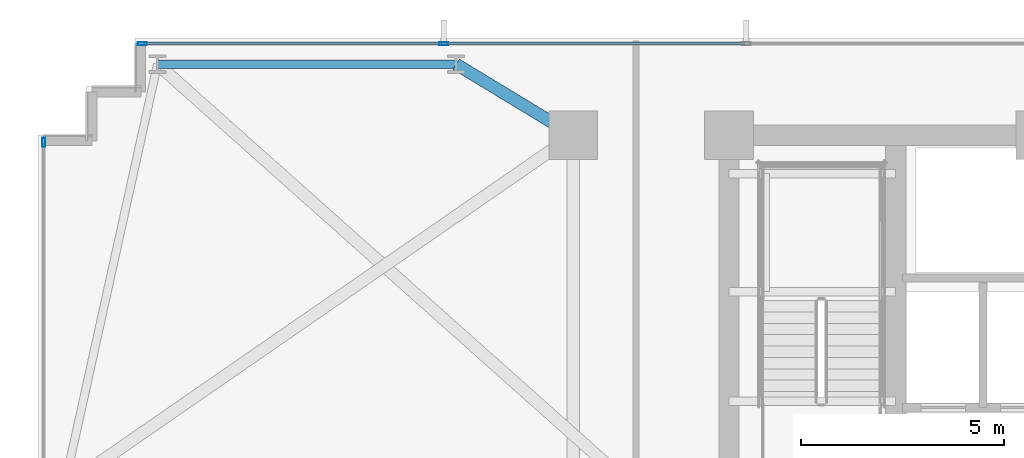
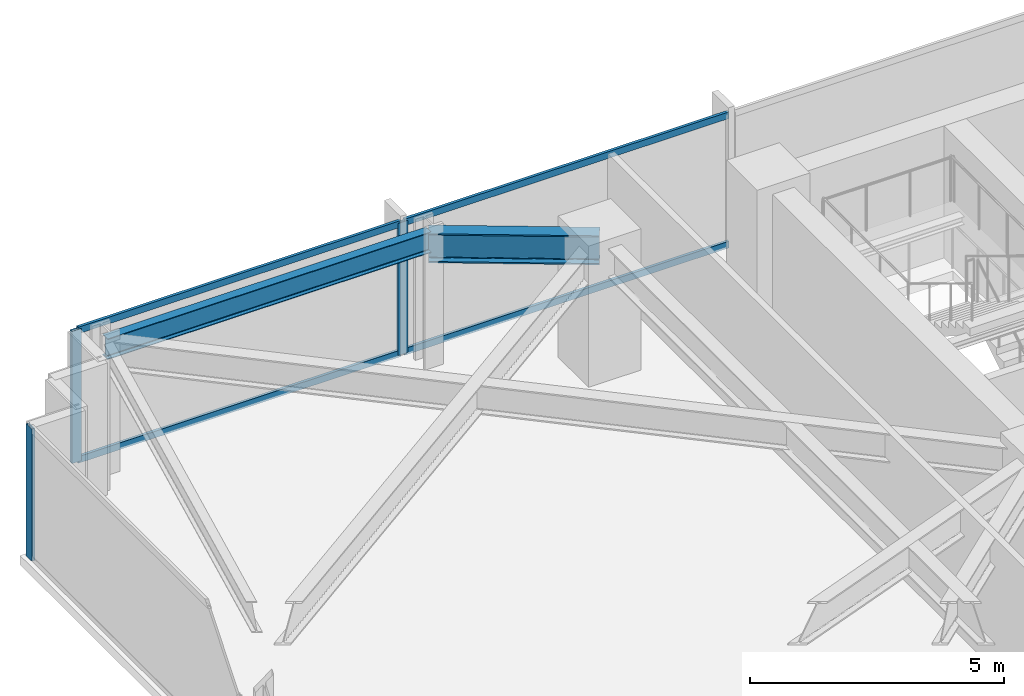
# One storey, part 17 of 32: 7 members, 2 beams, 2 elements without a shape of their own.
"""IFC4 building model written with IfcOpenShell, lengths in metres."""

import ifcopenshell
import ifcopenshell.guid

model = None  # the IFC model being written
_history = None  # IfcOwnerHistory: only IFC2X3 demands one
_inside = {}  # id of a spatial element -> (the spatial element, [elements in it])
_under = {}  # id of a project, library or spatial element -> (it, [spatial elements below it])
_declared = {}  # id of a project -> (the project, [libraries it declares])
_typed = {}  # id of a type object -> (the type object, [elements of that type])
_made_of = {}  # id of a material, layer set ... -> (it, [elements and type objects made of it])


def new_model(schema):
    """Start an empty IFC model of exactly this schema.

    Asked for "IFC4X3", IfcOpenShell would pick the latest addendum, in which some entities
    have other attributes; the version numbers below select the first issue.
    IFC2X3 requires an IfcOwnerHistory on every rooted entity: one is made here for all.
    """
    global model, _history
    if schema == "IFC4X3":
        model = ifcopenshell.file(schema_version=(4, 3, 0, 0))
    else:
        model = ifcopenshell.file(schema=schema)
    _inside.clear()
    _under.clear()
    _declared.clear()
    _typed.clear()
    _made_of.clear()
    _history = None
    if model.schema == "IFC2X3":
        org = make("IfcOrganization", Name="unknown")
        user = make(
            "IfcPersonAndOrganization",
            ThePerson=make("IfcPerson", FamilyName="unknown"),
            TheOrganization=org,
        )
        app = make(
            "IfcApplication",
            ApplicationDeveloper=org,
            Version="unknown",
            ApplicationFullName="unknown",
            ApplicationIdentifier="unknown",
        )
        _history = make(
            "IfcOwnerHistory",
            OwningUser=user,
            OwningApplication=app,
            ChangeAction="ADDED",
            CreationDate=0,
        )
    return model


def make(cls, **values):
    """One entity of the class cls with the attributes given. An attribute that is None is left unset."""
    return model.create_entity(
        cls, **{name: value for name, value in values.items() if value is not None}
    )


def rooted(cls, **values):
    """An entity with a GlobalId (a new one), such as an element, a storey or a relation."""
    return make(cls, GlobalId=ifcopenshell.guid.new(), OwnerHistory=_history, **values)


def si_unit(unit_type, name, prefix=None):
    """IfcSIUnit, for example si_unit("LENGTHUNIT", "METRE", prefix="MILLI")."""
    return make("IfcSIUnit", UnitType=unit_type, Prefix=prefix, Name=name)


def assignment(units):
    """IfcUnitAssignment: the units of a project."""
    return None if units is None else make("IfcUnitAssignment", Units=units)


def point(xyz):
    """IfcCartesianPoint."""
    return None if xyz is None else make("IfcCartesianPoint", Coordinates=xyz)


def direction(xyz):
    """IfcDirection."""
    return None if xyz is None else make("IfcDirection", DirectionRatios=xyz)


def frame(location, z_axis=None, x_axis=None):
    """IfcAxis2Placement3D, a coordinate frame: its origin and axes. An axis left out is left unset."""
    return make(
        "IfcAxis2Placement3D",
        Location=point(location),
        Axis=direction(z_axis),
        RefDirection=direction(x_axis),
    )


def frame_2d(location, x_axis=None):
    """IfcAxis2Placement2D, a coordinate frame in the plane: its origin and x axis."""
    return make(
        "IfcAxis2Placement2D", Location=point(location), RefDirection=direction(x_axis)
    )


def origin():
    """The frame at (0, 0, 0) with its axes left unset."""
    return frame((0.0, 0.0, 0.0))


def origin_2d():
    """The frame at (0, 0) in the plane with its x axis left unset."""
    return frame_2d((0.0, 0.0))


def place(relative_to, where):
    """IfcLocalPlacement: puts the frame where relative to a parent placement (None: the world)."""
    return make(
        "IfcLocalPlacement", PlacementRelTo=relative_to, RelativePlacement=where
    )


def context(
    kind, dimensions, precision=None, world=None, true_north=None, identifier=None
):
    """IfcGeometricRepresentationContext, for example the 3D "Model" context."""
    return make(
        "IfcGeometricRepresentationContext",
        ContextIdentifier=identifier,
        ContextType=kind,
        CoordinateSpaceDimension=dimensions,
        Precision=precision,
        WorldCoordinateSystem=world,
        TrueNorth=true_north,
    )


def subcontext(parent, identifier, kind, view, scale=None):
    """IfcGeometricRepresentationSubContext, for example "Body" below "Model"."""
    return make(
        "IfcGeometricRepresentationSubContext",
        ContextIdentifier=identifier,
        ContextType=kind,
        ParentContext=parent,
        TargetScale=scale,
        TargetView=view,
    )


def project(units=None, contexts=None):
    """IfcProject with its units and contexts."""
    return rooted(
        "IfcProject",
        Name="project",
        RepresentationContexts=contexts,
        UnitsInContext=assignment(units),
    )


def spatial(cls, under=None, at=None, **own):
    """A site, building, storey or space (cls), placed at a placement, below another one or the project."""
    s = rooted(cls, ObjectPlacement=at, **own)
    if under is not None:
        _under.setdefault(under.id(), (under, []))[1].append(s)
    return s


def profile(cls, at=None, kind="AREA", **sizes):
    """A parametric profile (cls). Its sizes go by their IFC names, for example OverallWidth=200.0."""
    return make(cls, ProfileType=kind, Position=at, **sizes)


def hollow_rectangle(**sizes):
    """IfcRectangleHollowProfileDef."""
    return profile("IfcRectangleHollowProfileDef", **sizes)


def i_section(**sizes):
    """IfcIShapeProfileDef."""
    return profile("IfcIShapeProfileDef", **sizes)


def extrude(swept, where, along, depth):
    """IfcExtrudedAreaSolid: the profile swept, set in the frame where, extruded along a direction by depth."""
    return make(
        "IfcExtrudedAreaSolid",
        SweptArea=swept,
        Position=where,
        ExtrudedDirection=direction(along),
        Depth=depth,
    )


def shape(context_of_items, identifier, shape_type, items):
    """IfcShapeRepresentation: the items that make up one representation, for example the "Body"."""
    return make(
        "IfcShapeRepresentation",
        ContextOfItems=context_of_items,
        RepresentationIdentifier=identifier,
        RepresentationType=shape_type,
        Items=items,
    )


def material(Name=None, Category=None):
    """IfcMaterial."""
    return make("IfcMaterial", Name=Name, Category=Category)


def material_profile(
    of_material, cross_section, Name=None, Category=None, Priority=None
):
    """IfcMaterialProfile: a cross section and its material."""
    return make(
        "IfcMaterialProfile",
        Name=Name,
        Material=of_material,
        Profile=cross_section,
        Priority=Priority,
        Category=Category,
    )


def profile_set(profiles, Name=None, composite=None):
    """IfcMaterialProfileSet."""
    return make(
        "IfcMaterialProfileSet",
        Name=Name,
        MaterialProfiles=profiles,
        CompositeProfile=composite,
    )


def made_of(thing, what):
    """Note that an element or type object is made of a material, layer set ...; save() writes the relation."""
    if what is not None:
        _made_of.setdefault(what.id(), (what, []))[1].append(thing)
    return thing


def type_object(cls, material=None, **own):
    """A type object (cls), such as IfcWallType, which elements share."""
    return made_of(rooted(cls, **own), material)


def element(
    cls,
    number,
    at=None,
    inside=None,
    cuts=None,
    type_object=None,
    material=None,
    context=None,
    identifier="Body",
    shape_type=None,
    held_by="IfcProductDefinitionShape",
    body=None,
    shapes=None,
    **own,
):
    """One element of the class cls, such as IfcWall. Its Tag is "e" and its number.

    at: its placement. inside: the storey or other place that contains it. cuts: it is an
    opening in that element (IfcRelVoidsElement). A single representation is given by context,
    identifier, shape_type and body (its items); several are given by shapes. held_by: the class
    of the entity that holds the representations. save() writes the other relations.
    """
    e = rooted(cls, Tag="e%d" % number, ObjectPlacement=at, **own)
    if body is not None:
        shapes = [shape(context, identifier, shape_type, body)]
    if shapes is not None:
        e.Representation = make(held_by, Representations=shapes)
    if inside is not None:
        _inside.setdefault(inside.id(), (inside, []))[1].append(e)
    if cuts is not None:
        rooted(
            "IfcRelVoidsElement", RelatingBuildingElement=cuts, RelatedOpeningElement=e
        )
    if type_object is not None:
        _typed.setdefault(type_object.id(), (type_object, []))[1].append(e)
    return made_of(e, material)


def aggregate(whole, parts):
    """IfcRelAggregates: a whole, such as a stair, and the parts it consists of."""
    return rooted("IfcRelAggregates", RelatingObject=whole, RelatedObjects=parts)


def save(model, path):
    """Write the relations noted so far, then the file.

    IfcRelAggregates (storeys below a building ...), IfcRelContainedInSpatialStructure (elements
    in a storey), IfcRelDefinesByType, IfcRelAssociatesMaterial and IfcRelDeclares: one each for
    every whole, place, type object, material and project.
    """
    for whole, parts in _under.values():
        aggregate(whole, parts)
    for where, things in _inside.values():
        rooted(
            "IfcRelContainedInSpatialStructure",
            RelatedElements=things,
            RelatingStructure=where,
        )
    for kind, things in _typed.values():
        rooted("IfcRelDefinesByType", RelatedObjects=things, RelatingType=kind)
    for what, things in _made_of.values():
        rooted("IfcRelAssociatesMaterial", RelatedObjects=things, RelatingMaterial=what)
    for by, libraries in _declared.values():
        rooted("IfcRelDeclares", RelatingContext=by, RelatedDefinitions=libraries)
    model.write(path)


model = new_model("IFC4")

# Units and contexts
model_context = context("Model", 3, precision=1e-05, world=origin(), true_north=direction((0.0, 1.0)))
body_context = subcontext(model_context, "Body", "Model", "MODEL_VIEW")
ifc_project = project(units=[si_unit("LENGTHUNIT", "METRE"), si_unit("AREAUNIT", "SQUARE_METRE"), si_unit("VOLUMEUNIT", "CUBIC_METRE"), si_unit("PLANEANGLEUNIT", "RADIAN"), si_unit("MASSUNIT", "GRAM", prefix="KILO")], contexts=[model_context])

# Site, building, storey
site_placement = place(None, origin())
site = spatial("IfcSite", under=ifc_project, at=site_placement, CompositionType="ELEMENT")
building_placement = place(site_placement, origin())
building = spatial("IfcBuilding", under=site, at=building_placement, Name="Yelkora Congress Tower", CompositionType="ELEMENT")
storey_placement = place(building_placement, frame((0.0, 0.0, 40.60009765625)))
storey = spatial("IfcBuildingStorey", under=building, at=storey_placement, Name="L09", CompositionType="ELEMENT", Elevation=40.60009765625)

# Beams
ifc_material_1 = material(Name="Steel S355J2", Category="steel")
ifc_material_profile_1 = material_profile(ifc_material_1, i_section(OverallWidth=0.300048828125, OverallDepth=0.699951171875, WebThickness=0.01708984375, FlangeThickness=0.031982421875, FilletRadius=0.027099609375, at=origin_2d()), Name="HEB 700")
ifc_profile_set_1 = profile_set([ifc_material_profile_1], Name="Steel S355J2")
beam_type_1 = type_object("IfcBeamType", Name="BM-GIRD-HEB700", PredefinedType="BEAM", material=ifc_profile_set_1)
beam_1_placement = place(storey_placement, frame((16.3125, 47.949951171875, 2.829833984375), z_axis=(0.855193946581, -0.518308126244, 0.0), x_axis=(0.518308126244, 0.855193946581, 0.0)))
element("IfcBeam", 1, at=beam_1_placement, inside=storey, type_object=beam_type_1, Name="L09 Primary Frame Girder N02", PredefinedType="BEAM", context=body_context, shape_type="SweptSolid", body=[
    extrude(i_section(OverallWidth=0.300048828125, OverallDepth=0.699951171875, WebThickness=0.01708984375, FlangeThickness=0.031982421875, FilletRadius=0.027099609375, at=origin_2d()), origin(), (0.0, 0.0, 1.0), 3.37646484375),
])
ifc_material_profile_2 = material_profile(ifc_material_1, i_section(OverallWidth=0.199951171875, OverallDepth=0.5, WebThickness=0.01025390625, FlangeThickness=0.01611328125, FilletRadius=0.02099609375, at=origin_2d()), Name="IPE 500")
ifc_profile_set_2 = profile_set([ifc_material_profile_2], Name="Steel S355J2")
beam_type_2 = type_object("IfcBeamType", Name="BM-SPAN-IPE500", PredefinedType="SPANDREL", material=ifc_profile_set_2)
beam_2_placement = place(storey_placement, frame((16.3125, 47.949951171875, 2.929931640625), z_axis=(-1.0, 0.0, 0.0), x_axis=(0.0, -1.0, 0.0)))
element("IfcBeam", 2, at=beam_2_placement, inside=storey, type_object=beam_type_2, Name="L09 Perimeter Beam 16", PredefinedType="SPANDREL", context=body_context, shape_type="SweptSolid", body=[
    extrude(i_section(OverallWidth=0.199951171875, OverallDepth=0.5, WebThickness=0.01025390625, FlangeThickness=0.01611328125, FilletRadius=0.02099609375, at=origin_2d()), origin(), (0.0, 0.0, 1.0), 7.362548828125),
])

# Curtain wall, member
ifc_material_2 = material(Name="Anodised aluminium and insulated glass", Category="aluminium")
curtain_wall_type = type_object("IfcCurtainWallType", Name="CW-SYS-B1", PredefinedType="NOTDEFINED", material=ifc_material_2)
curtain_wall_1_placement = place(storey_placement, origin())
curtain_wall_1 = element("IfcCurtainWall", 3, at=curtain_wall_1_placement, inside=storey, type_object=curtain_wall_type, Name="L09 Unitised Curtain Wall 5", PredefinedType="NOTDEFINED")
ifc_material_3 = material(Name="Anodised aluminium 6063-T6", Category="aluminium")
ifc_material_profile_3 = material_profile(ifc_material_3, hollow_rectangle(XDim=0.074951171875, YDim=0.219970703125, WallThickness=0.0048828125, at=origin_2d()), Name="ALU 75x220x5")
ifc_profile_set_3 = profile_set([ifc_material_profile_3], Name="Anodised aluminium 6063-T6")
member_type_1 = type_object("IfcMemberType", Name="MEM-ML-B1", PredefinedType="MULLION", material=ifc_profile_set_3)
member_1_placement = place(storey_placement, frame((6.139892578125, 46.0224609375, 0.0), z_axis=(0.0, 0.0, 1.0), x_axis=(-1.0, 0.0, 0.0)))
member_1 = element("IfcMember", 4, at=member_1_placement, type_object=member_type_1, Name="CW-B1 mullion 5", PredefinedType="MULLION", context=body_context, shape_type="SweptSolid", body=[
    extrude(hollow_rectangle(XDim=0.074951171875, YDim=0.219970703125, WallThickness=0.0048828125, at=origin_2d()), origin(), (0.0, 0.0, 1.0), 3.179931640625),
])
aggregate(curtain_wall_1, [member_1])

# Curtain wall, members
curtain_wall_2_placement = place(storey_placement, origin())
curtain_wall_2 = element("IfcCurtainWall", 5, at=curtain_wall_2_placement, inside=storey, type_object=curtain_wall_type, Name="L09 Unitised Curtain Wall 10", PredefinedType="NOTDEFINED")
member_2_placement = place(storey_placement, frame((8.577392578125, 48.4599609375, 0.0), z_axis=(0.0, 0.0, 1.0), x_axis=(0.0, 1.0, 0.0)))
member_2 = element("IfcMember", 6, at=member_2_placement, type_object=member_type_1, Name="CW-B1 mullion 1", PredefinedType="MULLION", context=body_context, shape_type="SweptSolid", body=[
    extrude(hollow_rectangle(XDim=0.074951171875, YDim=0.219970703125, WallThickness=0.0048828125, at=origin_2d()), origin(), (0.0, 0.0, 1.0), 3.179931640625),
])
member_3_placement = place(storey_placement, frame((16.0048828125, 48.4599609375, 0.0), z_axis=(0.0, 0.0, 1.0), x_axis=(0.0, 1.0, 0.0)))
member_3 = element("IfcMember", 7, at=member_3_placement, type_object=member_type_1, Name="CW-B1 mullion 2", PredefinedType="MULLION", context=body_context, shape_type="SweptSolid", body=[
    extrude(hollow_rectangle(XDim=0.074951171875, YDim=0.219970703125, WallThickness=0.0048828125, at=origin_2d()), origin(), (0.0, 0.0, 1.0), 3.179931640625),
])
ifc_material_profile_4 = material_profile(ifc_material_3, hollow_rectangle(XDim=0.06494140625, YDim=0.159912109375, WallThickness=0.00390625, at=origin_2d()), Name="ALU 65x160x4")
ifc_profile_set_4 = profile_set([ifc_material_profile_4], Name="Anodised aluminium 6063-T6")
member_type_2 = type_object("IfcMemberType", Name="MEM-TR-B1", PredefinedType="USERDEFINED", material=ifc_profile_set_4)
member_4_placement = place(storey_placement, frame((8.614990234375, 48.4599609375, 0.032470703125), z_axis=(1.0, 0.0, 0.0), x_axis=(0.0, 1.0, 0.0)))
member_4 = element("IfcMember", 8, at=member_4_placement, type_object=member_type_2, Name="CW-B1 transom 1.1", ObjectType="TRANSOM", PredefinedType="USERDEFINED", context=body_context, shape_type="SweptSolid", body=[
    extrude(hollow_rectangle(XDim=0.06494140625, YDim=0.159912109375, WallThickness=0.00390625, at=origin_2d()), origin(), (0.0, 0.0, 1.0), 7.3525390625),
])
member_5_placement = place(storey_placement, frame((8.614990234375, 48.4599609375, 3.1474609375), z_axis=(1.0, 0.0, 0.0), x_axis=(0.0, 1.0, 0.0)))
member_5 = element("IfcMember", 9, at=member_5_placement, type_object=member_type_2, Name="CW-B1 transom 1.2", ObjectType="TRANSOM", PredefinedType="USERDEFINED", context=body_context, shape_type="SweptSolid", body=[
    extrude(hollow_rectangle(XDim=0.06494140625, YDim=0.159912109375, WallThickness=0.00390625, at=origin_2d()), origin(), (0.0, 0.0, 1.0), 7.3525390625),
])
member_6_placement = place(storey_placement, frame((16.04248046875, 48.4599609375, 0.032470703125), z_axis=(1.0, 0.0, 0.0), x_axis=(0.0, 1.0, 0.0)))
member_6 = element("IfcMember", 10, at=member_6_placement, type_object=member_type_2, Name="CW-B1 transom 2.1", ObjectType="TRANSOM", PredefinedType="USERDEFINED", context=body_context, shape_type="SweptSolid", body=[
    extrude(hollow_rectangle(XDim=0.06494140625, YDim=0.159912109375, WallThickness=0.00390625, at=origin_2d()), origin(), (0.0, 0.0, 1.0), 7.39013671875),
])
member_7_placement = place(storey_placement, frame((16.04248046875, 48.4599609375, 3.1474609375), z_axis=(1.0, 0.0, 0.0), x_axis=(0.0, 1.0, 0.0)))
member_7 = element("IfcMember", 11, at=member_7_placement, type_object=member_type_2, Name="CW-B1 transom 2.2", ObjectType="TRANSOM", PredefinedType="USERDEFINED", context=body_context, shape_type="SweptSolid", body=[
    extrude(hollow_rectangle(XDim=0.06494140625, YDim=0.159912109375, WallThickness=0.00390625, at=origin_2d()), origin(), (0.0, 0.0, 1.0), 7.39013671875),
])
aggregate(curtain_wall_2, [member_2, member_3, member_4, member_5, member_6, member_7])

save(model, "model.ifc")
